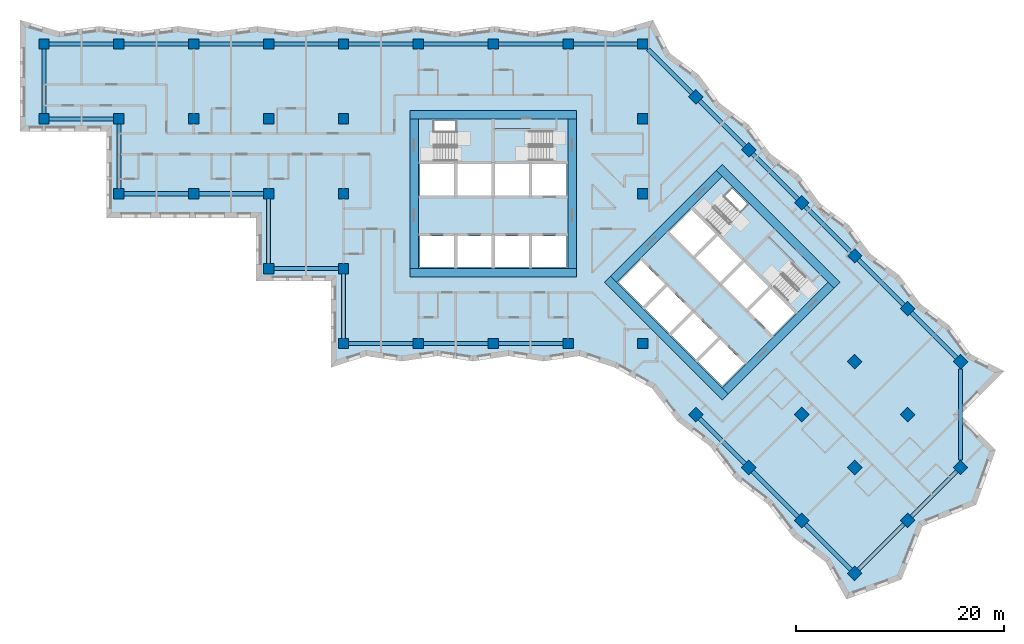
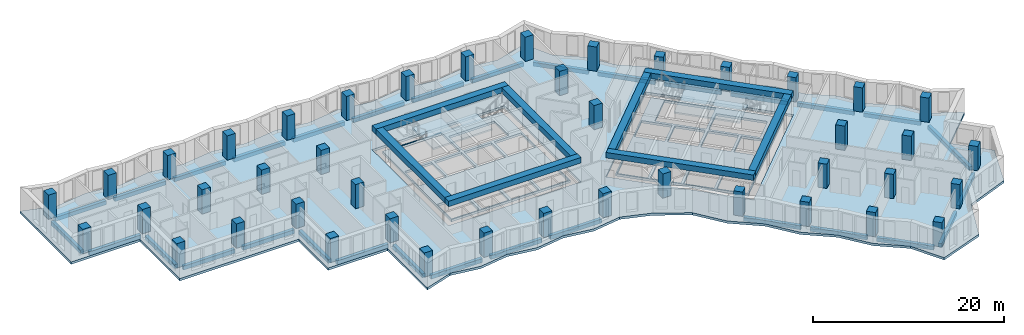
# One storey, part 1 of 13: 43 columns, 39 beams, 7 slabs, 22 openings, 4 elements without a shape of their own.
"""IFC4 building model written with IfcOpenShell, lengths in metres."""

from ifc_helpers import new_model, si_unit, direction, frame, origin, origin_2d, place, context, subcontext, project, spatial, polyline, rectangle, outline, extrude, material, layer, layer_set, material_profile, profile_set, type_object, element, aggregate, save


model = new_model("IFC4")

# Units and contexts
model_context = context("Model", 3, precision=1e-05, world=origin(), true_north=direction((0.0, 1.0)))
body_context = subcontext(model_context, "Body", "Model", "MODEL_VIEW")
ifc_project = project(units=[si_unit("LENGTHUNIT", "METRE"), si_unit("AREAUNIT", "SQUARE_METRE"), si_unit("VOLUMEUNIT", "CUBIC_METRE"), si_unit("PLANEANGLEUNIT", "RADIAN"), si_unit("MASSUNIT", "GRAM", prefix="KILO")], contexts=[model_context])

# Site, building, storey
site_placement = place(None, origin())
site = spatial("IfcSite", under=ifc_project, at=site_placement, CompositionType="ELEMENT")
building_placement = place(site_placement, origin())
building = spatial("IfcBuilding", under=site, at=building_placement, Name="Windrow Commons", CompositionType="ELEMENT")
storey_placement = place(building_placement, frame((0.0, 0.0, 105.0)))
storey = spatial("IfcBuildingStorey", under=building, at=storey_placement, Name="L28", CompositionType="ELEMENT", Elevation=105.0)

# Columns
ifc_material_1 = material(Name="Concrete C60/75", Category="concrete")
ifc_material_profile_1 = material_profile(ifc_material_1, rectangle(XDim=1.0, YDim=1.0, at=origin_2d()))
ifc_profile_set_1 = profile_set([ifc_material_profile_1], Name="Concrete C60/75")
column_type = type_object("IfcColumnType", Name="RC COLUMN 1000x1000 C60/75", PredefinedType="COLUMN", material=ifc_profile_set_1)
for number, where, z_axis, x_axis, name in (
    (1, (21.6, 64.8, 0.0), (0.0, 0.0, 1.0), (1.0, 0.0, 0.0), "C-Z2-04I"),
    (2, (21.6, 72.0, 0.0), (0.0, 0.0, 1.0), (1.0, 0.0, 0.0), "C-Z2-04J"),
    (3, (28.8, 57.6, 0.0), (0.0, 0.0, 1.0), (1.0, 0.0, 0.0), "C-Z2-05H"),
    (4, (28.8, 64.8, 0.0), (0.0, 0.0, 1.0), (1.0, 0.0, 0.0), "C-Z2-05I"),
    (5, (28.8, 72.0, 0.0), (0.0, 0.0, 1.0), (1.0, 0.0, 0.0), "C-Z2-05J"),
    (6, (36.0, 57.6, 0.0), (0.0, 0.0, 1.0), (1.0, 0.0, 0.0), "C-Z2-06H"),
    (7, (36.0, 64.8, 0.0), (0.0, 0.0, 1.0), (1.0, 0.0, 0.0), "C-Z2-06I"),
    (8, (36.0, 72.0, 0.0), (0.0, 0.0, 1.0), (1.0, 0.0, 0.0), "C-Z2-06J"),
    (9, (43.2, 50.4, 0.0), (0.0, 0.0, 1.0), (1.0, 0.0, 0.0), "C-Z2-07G"),
    (10, (43.2, 57.6, 0.0), (0.0, 0.0, 1.0), (1.0, 0.0, 0.0), "C-Z2-07H"),
    (11, (43.2, 64.8, 0.0), (0.0, 0.0, 1.0), (1.0, 0.0, 0.0), "C-Z2-07I"),
    (12, (43.2, 72.0, 0.0), (0.0, 0.0, 1.0), (1.0, 0.0, 0.0), "C-Z2-07J"),
    (13, (50.4, 43.2, 0.0), (0.0, 0.0, 1.0), (1.0, 0.0, 0.0), "C-Z2-08F"),
    (14, (50.4, 50.4, 0.0), (0.0, 0.0, 1.0), (1.0, 0.0, 0.0), "C-Z2-08G"),
    (15, (50.4, 57.6, 0.0), (0.0, 0.0, 1.0), (1.0, 0.0, 0.0), "C-Z2-08H"),
    (16, (50.4, 64.8, 0.0), (0.0, 0.0, 1.0), (1.0, 0.0, 0.0), "C-Z2-08I"),
    (17, (50.4, 72.0, 0.0), (0.0, 0.0, 1.0), (1.0, 0.0, 0.0), "C-Z2-08J"),
    (18, (57.6, 43.2, 0.0), (0.0, 0.0, 1.0), (1.0, 0.0, 0.0), "C-Z2-09F"),
    (19, (57.6, 72.0, 0.0), (0.0, 0.0, 1.0), (1.0, 0.0, 0.0), "C-Z2-09J"),
    (20, (64.8, 43.2, 0.0), (0.0, 0.0, 1.0), (1.0, 0.0, 0.0), "C-Z2-10F"),
    (21, (64.8, 72.0, 0.0), (0.0, 0.0, 1.0), (1.0, 0.0, 0.0), "C-Z2-10J"),
    (22, (72.0, 43.2, 0.0), (0.0, 0.0, 1.0), (1.0, 0.0, 0.0), "C-Z2-11F"),
    (23, (72.0, 72.0, 0.0), (0.0, 0.0, 1.0), (1.0, 0.0, 0.0), "C-Z2-11J"),
    (24, (79.2, 43.2, 0.0), (0.0, 0.0, 1.0), (1.0, 0.0, 0.0), "C-Z2-12F"),
    (25, (79.2, 57.6, 0.0), (0.0, 0.0, 1.0), (1.0, 0.0, 0.0), "C-Z2-12H"),
    (26, (79.2, 64.8, 0.0), (0.0, 0.0, 1.0), (1.0, 0.0, 0.0), "C-Z2-12I"),
    (27, (79.2, 72.0, 0.0), (0.0, 0.0, 1.0), (1.0, 0.0, 0.0), "C-Z2-12J"),
    (28, (84.2912, 66.9088, 0.0), (0.0, 0.0, 1.0), (0.7071067812, -0.7071067812, 0.0), "C-Z2-P2Q"),
    (29, (89.3823, 61.8177, 0.0), (0.0, 0.0, 1.0), (0.7071067812, -0.7071067812, 0.0), "C-Z2-P3Q"),
    (30, (94.4735, 56.7265, 0.0), (0.0, 0.0, 1.0), (0.7071067812, -0.7071067812, 0.0), "C-Z2-P4Q"),
    (31, (99.5647, 51.6353, 0.0), (0.0, 0.0, 1.0), (0.7071067812, -0.7071067812, 0.0), "C-Z2-P5Q"),
    (32, (84.2912, 36.3618, 0.0), (0.0, 0.0, 1.0), (0.7071067812, -0.7071067812, 0.0), "C-Z2-P5T"),
    (33, (104.6558, 46.5442, 0.0), (0.0, 0.0, 1.0), (0.7071067812, -0.7071067812, 0.0), "C-Z2-P6Q"),
    (34, (99.5647, 41.453, 0.0), (0.0, 0.0, 1.0), (0.7071067812, -0.7071067812, 0.0), "C-Z2-P6R"),
    (35, (94.4735, 36.3618, 0.0), (0.0, 0.0, 1.0), (0.7071067812, -0.7071067812, 0.0), "C-Z2-P6S"),
    (36, (89.3823, 31.2706, 0.0), (0.0, 0.0, 1.0), (0.7071067812, -0.7071067812, 0.0), "C-Z2-P6T"),
    (37, (109.747, 41.453, 0.0), (0.0, 0.0, 1.0), (0.7071067812, -0.7071067812, 0.0), "C-Z2-P7Q"),
    (38, (104.6558, 36.3618, 0.0), (0.0, 0.0, 1.0), (0.7071067812, -0.7071067812, 0.0), "C-Z2-P7R"),
    (39, (99.5647, 31.2706, 0.0), (0.0, 0.0, 1.0), (0.7071067812, -0.7071067812, 0.0), "C-Z2-P7S"),
    (40, (94.4735, 26.1795, 0.0), (0.0, 0.0, 1.0), (0.7071067812, -0.7071067812, 0.0), "C-Z2-P7T"),
    (41, (109.747, 31.2706, 0.0), (0.0, 0.0, 1.0), (0.7071067812, -0.7071067812, 0.0), "C-Z2-P8R"),
    (42, (104.6558, 26.1795, 0.0), (0.0, 0.0, 1.0), (0.7071067812, -0.7071067812, 0.0), "C-Z2-P8S"),
    (43, (99.5647, 21.0883, 0.0), (0.0, 0.0, 1.0), (0.7071067812, -0.7071067812, 0.0), "C-Z2-P8T"),
):
    element("IfcColumn", number, at=place(storey_placement, frame(where, z_axis=z_axis, x_axis=x_axis)), inside=storey, type_object=column_type, Name=name, PredefinedType="COLUMN", context=body_context, shape_type="SweptSolid", body=[
        extrude(rectangle(XDim=1.0, YDim=1.0, at=origin_2d()), origin(), (0.0, 0.0, 1.0), 3.1),
    ])

# Beams
ifc_material_2 = material(Name="Concrete C50/60", Category="concrete")
ifc_material_profile_2 = material_profile(ifc_material_2, rectangle(XDim=0.8, YDim=0.7, at=origin_2d()))
ifc_profile_set_2 = profile_set([ifc_material_profile_2], Name="Concrete C50/60")
beam_type_1 = type_object("IfcBeamType", Name="RC COUPLING BEAM 800x700 C50/60", PredefinedType="LINTEL", material=ifc_profile_set_2)
for number, where, z_axis, x_axis, name in (
    (44, (56.8, 50.0, 2.75), (1.0, 0.0, 0.0), (0.0, 1.0, 0.0), "Core A coupling beam outer-S"),
    (45, (56.8, 65.2, 2.75), (1.0, 0.0, 0.0), (0.0, 1.0, 0.0), "Core A coupling beam outer-N"),
):
    element("IfcBeam", number, at=place(storey_placement, frame(where, z_axis=z_axis, x_axis=x_axis)), inside=storey, type_object=beam_type_1, Name=name, PredefinedType="LINTEL", context=body_context, shape_type="SweptSolid", body=[
        extrude(rectangle(XDim=0.8, YDim=0.7, at=origin_2d()), origin(), (0.0, 0.0, 1.0), 16.0),
    ])
for number, where, z_axis, x_axis, name in (
    (46, (57.2, 50.4, 2.75), (0.0, 1.0, 0.0), (-1.0, 0.0, 0.0), "Core A coupling beam outer-W"),
    (47, (72.4, 50.4, 2.75), (0.0, 1.0, 0.0), (-1.0, 0.0, 0.0), "Core A coupling beam outer-E"),
):
    element("IfcBeam", number, at=place(storey_placement, frame(where, z_axis=z_axis, x_axis=x_axis)), inside=storey, type_object=beam_type_1, Name=name, PredefinedType="LINTEL", context=body_context, shape_type="SweptSolid", body=[
        extrude(rectangle(XDim=0.8, YDim=0.7, at=origin_2d()), origin(), (0.0, 0.0, 1.0), 14.4),
    ])
for number, where, z_axis, x_axis, name in (
    (48, (75.8059, 49.3726, 2.75), (0.7071067812, -0.7071067812, 0.0), (0.7071067812, 0.7071067812, 0.0), "Core B coupling beam outer-S"),
    (49, (86.5539, 60.1206, 2.75), (0.7071067812, -0.7071067812, 0.0), (0.7071067812, 0.7071067812, 0.0), "Core B coupling beam outer-N"),
):
    element("IfcBeam", number, at=place(storey_placement, frame(where, z_axis=z_axis, x_axis=x_axis)), inside=storey, type_object=beam_type_1, Name=name, PredefinedType="LINTEL", context=body_context, shape_type="SweptSolid", body=[
        extrude(rectangle(XDim=0.8, YDim=0.7, at=origin_2d()), origin(), (0.0, 0.0, 1.0), 16.0),
    ])
for number, where, z_axis, x_axis, name in (
    (50, (76.3716, 49.3726, 2.75), (0.7071067812, 0.7071067812, 0.0), (-0.7071067812, 0.7071067812, 0.0), "Core B coupling beam outer-W"),
    (51, (87.1196, 38.6246, 2.75), (0.7071067812, 0.7071067812, 0.0), (-0.7071067812, 0.7071067812, 0.0), "Core B coupling beam outer-E"),
):
    element("IfcBeam", number, at=place(storey_placement, frame(where, z_axis=z_axis, x_axis=x_axis)), inside=storey, type_object=beam_type_1, Name=name, PredefinedType="LINTEL", context=body_context, shape_type="SweptSolid", body=[
        extrude(rectangle(XDim=0.8, YDim=0.7, at=origin_2d()), origin(), (0.0, 0.0, 1.0), 14.3999),
    ])
ifc_material_3 = material(Name="Concrete C50/60", Category="concrete")
ifc_material_profile_3 = material_profile(ifc_material_3, rectangle(XDim=0.4, YDim=0.5, at=origin_2d()))
ifc_profile_set_3 = profile_set([ifc_material_profile_3], Name="Concrete C50/60")
beam_type_2 = type_object("IfcBeamType", Name="RC EDGE BEAM 400x500 C50/60", PredefinedType="SPANDREL", material=ifc_profile_set_3)
for number, where, z_axis, x_axis, name in (
    (52, (35.5, 57.6, -0.55), (-1.0, 0.0, 0.0), (0.0, -1.0, 0.0), "Edge beam L28 001"),
    (53, (28.8, 58.1, -0.55), (0.0, 1.0, 0.0), (-1.0, 0.0, 0.0), "Edge beam L28 002"),
    (54, (28.3, 64.8, -0.55), (-1.0, 0.0, 0.0), (0.0, -1.0, 0.0), "Edge beam L28 003"),
    (55, (21.6, 65.3, -0.55), (0.0, 1.0, 0.0), (-1.0, 0.0, 0.0), "Edge beam L28 004"),
    (56, (22.1, 72.0, -0.55), (1.0, 0.0, 0.0), (0.0, 1.0, 0.0), "Edge beam L28 005"),
    (57, (29.3, 72.0, -0.55), (1.0, 0.0, 0.0), (0.0, 1.0, 0.0), "Edge beam L28 006"),
    (58, (36.5, 72.0, -0.55), (1.0, 0.0, 0.0), (0.0, 1.0, 0.0), "Edge beam L28 007"),
    (59, (43.7, 72.0, -0.55), (1.0, 0.0, 0.0), (0.0, 1.0, 0.0), "Edge beam L28 008"),
    (60, (50.9, 72.0, -0.55), (1.0, 0.0, 0.0), (0.0, 1.0, 0.0), "Edge beam L28 009"),
    (61, (58.1, 72.0, -0.55), (1.0, 0.0, 0.0), (0.0, 1.0, 0.0), "Edge beam L28 010"),
    (62, (65.3, 72.0, -0.55), (1.0, 0.0, 0.0), (0.0, 1.0, 0.0), "Edge beam L28 011"),
    (63, (72.5, 72.0, -0.55), (1.0, 0.0, 0.0), (0.0, 1.0, 0.0), "Edge beam L28 012"),
):
    element("IfcBeam", number, at=place(storey_placement, frame(where, z_axis=z_axis, x_axis=x_axis)), inside=storey, type_object=beam_type_2, Name=name, PredefinedType="SPANDREL", context=body_context, shape_type="SweptSolid", body=[
        extrude(rectangle(XDim=0.4, YDim=0.5, at=origin_2d()), origin(), (0.0, 0.0, 1.0), 6.2),
    ])
beam_1_placement = place(storey_placement, frame((79.7, 71.5, -0.55), z_axis=(0.7071067812, -0.7071067812, 0.0), x_axis=(0.7071067812, 0.7071067812, 0.0)))
element("IfcBeam", 64, at=beam_1_placement, inside=storey, type_object=beam_type_2, Name="Edge beam L28 013", PredefinedType="SPANDREL", context=body_context, shape_type="SweptSolid", body=[
    extrude(rectangle(XDim=0.4, YDim=0.5, at=origin_2d()), origin(), (0.0, 0.0, 1.0), 5.9929),
])
beam_2_placement = place(storey_placement, frame((84.6448, 66.5552, -0.55), z_axis=(0.7071067812, -0.7071067812, 0.0), x_axis=(0.7071067812, 0.7071067812, 0.0)))
element("IfcBeam", 65, at=beam_2_placement, inside=storey, type_object=beam_type_2, Name="Edge beam L28 014", PredefinedType="SPANDREL", context=body_context, shape_type="SweptSolid", body=[
    extrude(rectangle(XDim=0.4, YDim=0.5, at=origin_2d()), origin(), (0.0, 0.0, 1.0), 6.1998),
])
for number, where, z_axis, x_axis, name in (
    (66, (89.7359, 61.4641, -0.55), (0.7071067812, -0.7071067812, 0.0), (0.7071067812, 0.7071067812, 0.0), "Edge beam L28 015"),
    (67, (94.8271, 56.3729, -0.55), (0.7071067812, -0.7071067812, 0.0), (0.7071067812, 0.7071067812, 0.0), "Edge beam L28 016"),
):
    element("IfcBeam", number, at=place(storey_placement, frame(where, z_axis=z_axis, x_axis=x_axis)), inside=storey, type_object=beam_type_2, Name=name, PredefinedType="SPANDREL", context=body_context, shape_type="SweptSolid", body=[
        extrude(rectangle(XDim=0.4, YDim=0.5, at=origin_2d()), origin(), (0.0, 0.0, 1.0), 6.1999),
    ])
beam_3_placement = place(storey_placement, frame((99.9183, 51.2817, -0.55), z_axis=(0.7071067812, -0.7071067812, 0.0), x_axis=(0.7071067812, 0.7071067812, 0.0)))
element("IfcBeam", 68, at=beam_3_placement, inside=storey, type_object=beam_type_2, Name="Edge beam L28 017", PredefinedType="SPANDREL", context=body_context, shape_type="SweptSolid", body=[
    extrude(rectangle(XDim=0.4, YDim=0.5, at=origin_2d()), origin(), (0.0, 0.0, 1.0), 6.1998),
])
beam_4_placement = place(storey_placement, frame((105.0094, 46.1906, -0.55), z_axis=(0.7071067812, -0.7071067812, 0.0), x_axis=(0.7071067812, 0.7071067812, 0.0)))
element("IfcBeam", 69, at=beam_4_placement, inside=storey, type_object=beam_type_2, Name="Edge beam L28 018", PredefinedType="SPANDREL", context=body_context, shape_type="SweptSolid", body=[
    extrude(rectangle(XDim=0.4, YDim=0.5, at=origin_2d()), origin(), (0.0, 0.0, 1.0), 6.1999),
])
beam_5_placement = place(storey_placement, frame((109.747, 40.7459, -0.55), z_axis=(0.0, -1.0, 0.0), x_axis=(1.0, 0.0, 0.0)))
element("IfcBeam", 70, at=beam_5_placement, inside=storey, type_object=beam_type_2, Name="Edge beam L28 019", PredefinedType="SPANDREL", context=body_context, shape_type="SweptSolid", body=[
    extrude(rectangle(XDim=0.4, YDim=0.5, at=origin_2d()), origin(), (0.0, 0.0, 1.0), 8.7682),
])
for number, where, z_axis, x_axis, name in (
    (71, (109.3934, 30.917, -0.55), (-0.7071148459, -0.7070987164, 0.0), (0.7070987164, -0.7071148459, 0.0), "Edge beam L28 020"),
    (72, (104.3022, 25.8259, -0.55), (-0.7070987164, -0.7071148459, 0.0), (0.7071148459, -0.7070987164, 0.0), "Edge beam L28 021"),
):
    element("IfcBeam", number, at=place(storey_placement, frame(where, z_axis=z_axis, x_axis=x_axis)), inside=storey, type_object=beam_type_2, Name=name, PredefinedType="SPANDREL", context=body_context, shape_type="SweptSolid", body=[
        extrude(rectangle(XDim=0.4, YDim=0.5, at=origin_2d()), origin(), (0.0, 0.0, 1.0), 6.1998),
    ])
beam_6_placement = place(storey_placement, frame((99.2111, 21.4419, -0.55), z_axis=(-0.7071067812, 0.7071067812, 0.0), x_axis=(-0.7071067812, -0.7071067812, 0.0)))
element("IfcBeam", 73, at=beam_6_placement, inside=storey, type_object=beam_type_2, Name="Edge beam L28 022", PredefinedType="SPANDREL", context=body_context, shape_type="SweptSolid", body=[
    extrude(rectangle(XDim=0.4, YDim=0.5, at=origin_2d()), origin(), (0.0, 0.0, 1.0), 6.1999),
])
for number, where, z_axis, x_axis, name in (
    (74, (94.1199, 26.5331, -0.55), (-0.7071148459, 0.7070987164, 0.0), (-0.7070987164, -0.7071148459, 0.0), "Edge beam L28 023"),
    (75, (89.0287, 31.6242, -0.55), (-0.7070987164, 0.7071148459, 0.0), (-0.7071148459, -0.7070987164, 0.0), "Edge beam L28 024"),
):
    element("IfcBeam", number, at=place(storey_placement, frame(where, z_axis=z_axis, x_axis=x_axis)), inside=storey, type_object=beam_type_2, Name=name, PredefinedType="SPANDREL", context=body_context, shape_type="SweptSolid", body=[
        extrude(rectangle(XDim=0.4, YDim=0.5, at=origin_2d()), origin(), (0.0, 0.0, 1.0), 6.1998),
    ])
for number, where, z_axis, x_axis, name in (
    (76, (71.5, 43.2, -0.55), (-1.0, 0.0, 0.0), (0.0, -1.0, 0.0), "Edge beam L28 025"),
    (77, (64.3, 43.2, -0.55), (-1.0, 0.0, 0.0), (0.0, -1.0, 0.0), "Edge beam L28 026"),
    (78, (57.1, 43.2, -0.55), (-1.0, 0.0, 0.0), (0.0, -1.0, 0.0), "Edge beam L28 027"),
    (79, (50.4, 43.7, -0.55), (0.0, 1.0, 0.0), (-1.0, 0.0, 0.0), "Edge beam L28 028"),
    (80, (49.9, 50.4, -0.55), (-1.0, 0.0, 0.0), (0.0, -1.0, 0.0), "Edge beam L28 029"),
    (81, (43.2, 50.9, -0.55), (0.0, 1.0, 0.0), (-1.0, 0.0, 0.0), "Edge beam L28 030"),
    (82, (42.7, 57.6, -0.55), (-1.0, 0.0, 0.0), (0.0, -1.0, 0.0), "Edge beam L28 031"),
):
    element("IfcBeam", number, at=place(storey_placement, frame(where, z_axis=z_axis, x_axis=x_axis)), inside=storey, type_object=beam_type_2, Name=name, PredefinedType="SPANDREL", context=body_context, shape_type="SweptSolid", body=[
        extrude(rectangle(XDim=0.4, YDim=0.5, at=origin_2d()), origin(), (0.0, 0.0, 1.0), 6.2),
    ])

# Slab, openings
ifc_material_4 = material(Name="Concrete C50/60", Category="concrete")
ifc_layer_1 = layer(ifc_material_4, 0.3)
ifc_layer_set_1 = layer_set([ifc_layer_1], Name="CORE FLOOR SLAB 300 C50/60")
slab_type_1 = type_object("IfcSlabType", Name="CORE FLOOR SLAB 300 C50/60", PredefinedType="FLOOR", material=ifc_layer_set_1)
placement_1 = place(storey_placement, frame((0.0, 0.0, -0.3)))
slab_1 = element("IfcSlab", 83, at=placement_1, inside=storey, type_object=slab_type_1, Name="S-L28-core-A", PredefinedType="FLOOR", context=body_context, shape_type="SweptSolid", body=[
    extrude(outline(polyline([(57.6, 50.4), (72.0, 50.4), (72.0, 64.8), (57.6, 64.8), (57.6, 50.4)]), holes=[polyline([(57.75, 50.55), (61.05, 50.55), (61.05, 53.55), (57.75, 53.55), (57.75, 50.55)]), polyline([(61.35, 50.55), (64.65, 50.55), (64.65, 53.55), (61.35, 53.55), (61.35, 50.55)]), polyline([(64.95, 50.55), (68.25, 50.55), (68.25, 53.55), (64.95, 53.55), (64.95, 50.55)]), polyline([(68.55, 50.55), (71.85, 50.55), (71.85, 53.55), (68.55, 53.55), (68.55, 50.55)]), polyline([(57.75, 57.45), (61.05, 57.45), (61.05, 60.45), (57.75, 60.45), (57.75, 57.45)]), polyline([(61.35, 57.45), (64.65, 57.45), (64.65, 60.45), (61.35, 60.45), (61.35, 57.45)]), polyline([(64.95, 57.45), (68.25, 57.45), (68.25, 60.45), (64.95, 60.45), (64.95, 57.45)]), polyline([(68.55, 57.45), (71.85, 57.45), (71.85, 60.45), (68.55, 60.45), (68.55, 57.45)]), polyline([(59.1, 60.75), (64.65, 60.75), (64.65, 64.65), (59.1, 64.65), (59.1, 60.75)]), polyline([(64.95, 60.75), (70.5, 60.75), (70.5, 63.705), (64.95, 63.705), (64.95, 60.75)])]), origin(), (0.0, 0.0, 1.0), 0.3),
])
opening_1_placement = place(placement_1, origin())
element("IfcOpeningElement", 84, at=opening_1_placement, cuts=slab_1, Name="Slab opening S-L28-core-A 1", PredefinedType="OPENING", context=body_context, shape_type="SweptSolid", body=[
    extrude(outline(polyline([(57.755, 50.555), (57.755, 53.545), (61.045, 53.545), (61.045, 50.555), (57.755, 50.555)])), origin(), (0.0, 0.0, 1.0), 0.3),
])
opening_2_placement = place(placement_1, origin())
element("IfcOpeningElement", 85, at=opening_2_placement, cuts=slab_1, Name="Slab opening S-L28-core-A 2", PredefinedType="OPENING", context=body_context, shape_type="SweptSolid", body=[
    extrude(outline(polyline([(61.355, 50.555), (61.355, 53.545), (64.645, 53.545), (64.645, 50.555), (61.355, 50.555)])), origin(), (0.0, 0.0, 1.0), 0.3),
])
opening_3_placement = place(placement_1, origin())
element("IfcOpeningElement", 86, at=opening_3_placement, cuts=slab_1, Name="Slab opening S-L28-core-A 3", PredefinedType="OPENING", context=body_context, shape_type="SweptSolid", body=[
    extrude(outline(polyline([(64.955, 50.555), (64.955, 53.545), (68.245, 53.545), (68.245, 50.555), (64.955, 50.555)])), origin(), (0.0, 0.0, 1.0), 0.3),
])
opening_4_placement = place(placement_1, origin())
element("IfcOpeningElement", 87, at=opening_4_placement, cuts=slab_1, Name="Slab opening S-L28-core-A 4", PredefinedType="OPENING", context=body_context, shape_type="SweptSolid", body=[
    extrude(outline(polyline([(68.555, 50.555), (68.555, 53.545), (71.845, 53.545), (71.845, 50.555), (68.555, 50.555)])), origin(), (0.0, 0.0, 1.0), 0.3),
])
opening_5_placement = place(placement_1, origin())
element("IfcOpeningElement", 88, at=opening_5_placement, cuts=slab_1, Name="Slab opening S-L28-core-A 5", PredefinedType="OPENING", context=body_context, shape_type="SweptSolid", body=[
    extrude(outline(polyline([(57.755, 57.455), (57.755, 60.445), (61.045, 60.445), (61.045, 57.455), (57.755, 57.455)])), origin(), (0.0, 0.0, 1.0), 0.3),
])
opening_6_placement = place(placement_1, origin())
element("IfcOpeningElement", 89, at=opening_6_placement, cuts=slab_1, Name="Slab opening S-L28-core-A 6", PredefinedType="OPENING", context=body_context, shape_type="SweptSolid", body=[
    extrude(outline(polyline([(61.355, 57.455), (61.355, 60.445), (64.645, 60.445), (64.645, 57.455), (61.355, 57.455)])), origin(), (0.0, 0.0, 1.0), 0.3),
])
opening_7_placement = place(placement_1, origin())
element("IfcOpeningElement", 90, at=opening_7_placement, cuts=slab_1, Name="Slab opening S-L28-core-A 7", PredefinedType="OPENING", context=body_context, shape_type="SweptSolid", body=[
    extrude(outline(polyline([(64.955, 57.455), (64.955, 60.445), (68.245, 60.445), (68.245, 57.455), (64.955, 57.455)])), origin(), (0.0, 0.0, 1.0), 0.3),
])
opening_8_placement = place(placement_1, origin())
element("IfcOpeningElement", 91, at=opening_8_placement, cuts=slab_1, Name="Slab opening S-L28-core-A 8", PredefinedType="OPENING", context=body_context, shape_type="SweptSolid", body=[
    extrude(outline(polyline([(68.555, 57.455), (68.555, 60.445), (71.845, 60.445), (71.845, 57.455), (68.555, 57.455)])), origin(), (0.0, 0.0, 1.0), 0.3),
])
opening_9_placement = place(placement_1, origin())
element("IfcOpeningElement", 92, at=opening_9_placement, cuts=slab_1, Name="Slab opening S-L28-core-A 9", PredefinedType="OPENING", context=body_context, shape_type="SweptSolid", body=[
    extrude(outline(polyline([(59.105, 60.755), (59.105, 64.645), (64.645, 64.645), (64.645, 60.755), (59.105, 60.755)])), origin(), (0.0, 0.0, 1.0), 0.3),
])
opening_10_placement = place(placement_1, origin())
element("IfcOpeningElement", 93, at=opening_10_placement, cuts=slab_1, Name="Slab opening S-L28-core-A 10", PredefinedType="OPENING", context=body_context, shape_type="SweptSolid", body=[
    extrude(outline(polyline([(64.955, 60.755), (64.955, 63.7), (70.495, 63.7), (70.495, 60.755), (64.955, 60.755)])), origin(), (0.0, 0.0, 1.0), 0.3),
])

slab_2 = element("IfcSlab", 94, at=placement_1, inside=storey, type_object=slab_type_1, Name="S-L28-core-B", PredefinedType="FLOOR", context=body_context, shape_type="SweptSolid", body=[
    extrude(outline(polyline([(76.6544, 49.0897), (86.8368, 38.9074), (97.0191, 49.0897), (86.8368, 59.2721), (76.6544, 49.0897)]), holes=[polyline([(76.8665, 49.0897), (79.2, 46.7563), (81.3213, 48.8776), (78.9879, 51.2111), (76.8665, 49.0897)]), polyline([(79.4121, 46.5442), (81.7456, 44.2107), (83.8669, 46.332), (81.5335, 48.6655), (79.4121, 46.5442)]), polyline([(81.9577, 43.9986), (84.2912, 41.6651), (86.4125, 43.7864), (84.079, 46.1199), (81.9577, 43.9986)]), polyline([(84.5033, 41.453), (86.8368, 39.1195), (88.9581, 41.2409), (86.6246, 43.5743), (84.5033, 41.453)]), polyline([(81.7456, 53.9688), (84.079, 51.6353), (86.2004, 53.7566), (83.8669, 56.0901), (81.7456, 53.9688)]), polyline([(84.2912, 51.4232), (86.6246, 49.0897), (88.7459, 51.2111), (86.4125, 53.5445), (84.2912, 51.4232)]), polyline([(86.8368, 48.8776), (89.1702, 46.5442), (91.2915, 48.6655), (88.9581, 50.9989), (86.8368, 48.8776)]), polyline([(89.3823, 46.332), (91.7158, 43.9986), (93.8371, 46.1199), (91.5037, 48.4533), (89.3823, 46.332)]), polyline([(85.0336, 55.3476), (88.9581, 51.4232), (91.7158, 54.1809), (87.7913, 58.1054), (85.0336, 55.3476)]), polyline([(89.1702, 51.2111), (93.0946, 47.2866), (95.1841, 49.3761), (91.2597, 53.3006), (89.1702, 51.2111)])]), origin(), (0.0, 0.0, 1.0), 0.3),
])
opening_11_placement = place(placement_1, origin())
element("IfcOpeningElement", 95, at=opening_11_placement, cuts=slab_2, Name="Slab opening S-L28-core-B 1", PredefinedType="OPENING", context=body_context, shape_type="SweptSolid", body=[
    extrude(outline(polyline([(76.8736, 49.0897), (78.9879, 51.204), (81.3142, 48.8776), (79.2, 46.7634), (76.8736, 49.0897)])), origin(), (0.0, 0.0, 1.0), 0.3),
])
opening_12_placement = place(placement_1, origin())
element("IfcOpeningElement", 96, at=opening_12_placement, cuts=slab_2, Name="Slab opening S-L28-core-B 2", PredefinedType="OPENING", context=body_context, shape_type="SweptSolid", body=[
    extrude(outline(polyline([(79.4192, 46.5442), (81.5335, 48.6584), (83.8598, 46.332), (81.7456, 44.2178), (79.4192, 46.5442)])), origin(), (0.0, 0.0, 1.0), 0.3),
])
opening_13_placement = place(placement_1, origin())
element("IfcOpeningElement", 97, at=opening_13_placement, cuts=slab_2, Name="Slab opening S-L28-core-B 3", PredefinedType="OPENING", context=body_context, shape_type="SweptSolid", body=[
    extrude(outline(polyline([(81.9648, 43.9986), (84.079, 46.1128), (86.4054, 43.7864), (84.2912, 41.6722), (81.9648, 43.9986)])), origin(), (0.0, 0.0, 1.0), 0.3),
])
opening_14_placement = place(placement_1, origin())
element("IfcOpeningElement", 98, at=opening_14_placement, cuts=slab_2, Name="Slab opening S-L28-core-B 4", PredefinedType="OPENING", context=body_context, shape_type="SweptSolid", body=[
    extrude(outline(polyline([(84.5104, 41.453), (86.6246, 43.5672), (88.951, 41.2409), (86.8368, 39.1266), (84.5104, 41.453)])), origin(), (0.0, 0.0, 1.0), 0.3),
])
opening_15_placement = place(placement_1, origin())
element("IfcOpeningElement", 99, at=opening_15_placement, cuts=slab_2, Name="Slab opening S-L28-core-B 5", PredefinedType="OPENING", context=body_context, shape_type="SweptSolid", body=[
    extrude(outline(polyline([(81.7527, 53.9688), (83.8669, 56.083), (86.1933, 53.7566), (84.079, 51.6424), (81.7527, 53.9688)])), origin(), (0.0, 0.0, 1.0), 0.3),
])
opening_16_placement = place(placement_1, origin())
element("IfcOpeningElement", 100, at=opening_16_placement, cuts=slab_2, Name="Slab opening S-L28-core-B 6", PredefinedType="OPENING", context=body_context, shape_type="SweptSolid", body=[
    extrude(outline(polyline([(84.2983, 51.4232), (86.4125, 53.5374), (88.7388, 51.2111), (86.6246, 49.0968), (84.2983, 51.4232)])), origin(), (0.0, 0.0, 1.0), 0.3),
])
opening_17_placement = place(placement_1, origin())
element("IfcOpeningElement", 101, at=opening_17_placement, cuts=slab_2, Name="Slab opening S-L28-core-B 7", PredefinedType="OPENING", context=body_context, shape_type="SweptSolid", body=[
    extrude(outline(polyline([(86.8439, 48.8776), (88.9581, 50.9918), (91.2844, 48.6655), (89.1702, 46.5513), (86.8439, 48.8776)])), origin(), (0.0, 0.0, 1.0), 0.3),
])
opening_18_placement = place(placement_1, origin())
element("IfcOpeningElement", 102, at=opening_18_placement, cuts=slab_2, Name="Slab opening S-L28-core-B 8", PredefinedType="OPENING", context=body_context, shape_type="SweptSolid", body=[
    extrude(outline(polyline([(89.3894, 46.332), (91.5037, 48.4462), (93.83, 46.1199), (91.7158, 44.0057), (89.3894, 46.332)])), origin(), (0.0, 0.0, 1.0), 0.3),
])
opening_19_placement = place(placement_1, origin())
element("IfcOpeningElement", 103, at=opening_19_placement, cuts=slab_2, Name="Slab opening S-L28-core-B 9", PredefinedType="OPENING", context=body_context, shape_type="SweptSolid", body=[
    extrude(outline(polyline([(85.0407, 55.3476), (87.7913, 58.0983), (91.7087, 54.1809), (88.9581, 51.4303), (85.0407, 55.3476)])), origin(), (0.0, 0.0, 1.0), 0.3),
])
opening_20_placement = place(placement_1, origin())
element("IfcOpeningElement", 104, at=opening_20_placement, cuts=slab_2, Name="Slab opening S-L28-core-B 10", PredefinedType="OPENING", context=body_context, shape_type="SweptSolid", body=[
    extrude(outline(polyline([(89.1773, 51.2111), (91.2597, 53.2935), (95.177, 49.3761), (93.0946, 47.2937), (89.1773, 51.2111)])), origin(), (0.0, 0.0, 1.0), 0.3),
])

# Stair, slab
ifc_material_5 = material(Name="Concrete C40/50", Category="concrete")
stair_type = type_object("IfcStairType", Name="Core stair", PredefinedType="HALF_TURN_STAIR", material=ifc_material_5)
placement_2 = place(storey_placement, origin())
stair_1 = element("IfcStair", 105, at=placement_2, inside=storey, type_object=stair_type, Name="L28 Exit stair A1 core A", PredefinedType="HALF_TURN_STAIR")
ifc_material_6 = material(Name="Concrete C40/50", Category="concrete")
ifc_layer_2 = layer(ifc_material_6, 0.2)
ifc_layer_set_2 = layer_set([ifc_layer_2], Name="Core stair landing")
slab_type_2 = type_object("IfcSlabType", Name="Core stair landing", PredefinedType="LANDING", material=ifc_layer_set_2)
placement_3 = place(storey_placement, frame((0.0, 0.0, 1.5)))
slab_3 = element("IfcSlab", 106, at=placement_3, type_object=slab_type_2, Name="ST-A1 landing 1", PredefinedType="LANDING", context=body_context, shape_type="SweptSolid", body=[
    extrude(outline(polyline([(61.22, 60.5), (64.8, 60.5), (64.8, 64.9), (61.22, 64.9), (61.22, 60.5)])), origin(), (0.0, 0.0, 1.0), 0.2),
])
aggregate(stair_1, [slab_3])

stair_2 = element("IfcStair", 107, at=placement_2, inside=storey, type_object=stair_type, Name="L28 Exit stair A2 core A", PredefinedType="HALF_TURN_STAIR")
slab_4 = element("IfcSlab", 108, at=placement_3, type_object=slab_type_2, Name="ST-A2 landing 1", PredefinedType="LANDING", context=body_context, shape_type="SweptSolid", body=[
    extrude(outline(polyline([(64.8, 60.5), (68.38, 60.5), (68.38, 63.855), (64.8, 63.855), (64.8, 60.5)])), origin(), (0.0, 0.0, 1.0), 0.2),
])
aggregate(stair_2, [slab_4])

stair_3 = element("IfcStair", 109, at=placement_2, inside=storey, type_object=stair_type, Name="L28 Exit stair B1 core B", PredefinedType="HALF_TURN_STAIR")
slab_5 = element("IfcSlab", 110, at=placement_3, type_object=slab_type_2, Name="ST-B1 landing 1", PredefinedType="LANDING", context=body_context, shape_type="SweptSolid", body=[
    extrude(outline(polyline([(86.3559, 53.6718), (88.8874, 51.1403), (91.9986, 54.2516), (89.4672, 56.7831), (86.3559, 53.6718)])), origin(), (0.0, 0.0, 1.0), 0.2),
])
aggregate(stair_3, [slab_5])

stair_4 = element("IfcStair", 111, at=placement_2, inside=storey, type_object=stair_type, Name="L28 Exit stair B2 core B", PredefinedType="HALF_TURN_STAIR")
slab_6 = element("IfcSlab", 112, at=placement_3, type_object=slab_type_2, Name="ST-B2 landing 1", PredefinedType="LANDING", context=body_context, shape_type="SweptSolid", body=[
    extrude(outline(polyline([(88.8874, 51.1403), (91.4188, 48.6089), (93.7911, 50.9812), (91.2597, 53.5127), (88.8874, 51.1403)])), origin(), (0.0, 0.0, 1.0), 0.2),
])
aggregate(stair_4, [slab_6])

# Slab, openings
ifc_material_7 = material(Name="Concrete C50/60", Category="concrete")
ifc_layer_3 = layer(ifc_material_7, 0.3)
ifc_layer_set_3 = layer_set([ifc_layer_3], Name="FLOOR SLAB 300 C50/60")
slab_type_3 = type_object("IfcSlabType", Name="FLOOR SLAB 300 C50/60", PredefinedType="FLOOR", material=ifc_layer_set_3)
slab_7 = element("IfcSlab", 113, at=placement_1, inside=storey, type_object=slab_type_3, Name="S-L28-floor", PredefinedType="FLOOR", context=body_context, shape_type="SweptSolid", body=[
    extrude(outline(polyline([(96.7793, 22.1767), (98.7784, 18.605), (104.0661, 20.4986), (106.1012, 25.6449), (111.2475, 27.68), (113.1411, 32.9677), (109.747, 36.3618), (113.9274, 40.5422), (110.729, 42.168), (108.6789, 44.9422), (105.9047, 46.9923), (103.8547, 49.7665), (101.0805, 51.8165), (99.0304, 54.5907), (96.2563, 56.6408), (94.2062, 59.415), (91.432, 61.4651), (89.3819, 64.2392), (86.6078, 66.2893), (84.5577, 69.0635), (81.7835, 71.1136), (80.1577, 74.312), (76.3533, 73.2), (72.549, 73.712), (68.7446, 73.2), (64.9403, 73.712), (61.1359, 73.2), (57.3316, 73.712), (53.5272, 73.2), (49.7229, 73.712), (45.9185, 73.2), (42.1141, 73.712), (38.3098, 73.2), (34.5054, 73.712), (30.7011, 73.2), (26.8967, 73.712), (23.0924, 73.2), (19.288, 74.312), (19.288, 63.6), (27.6, 63.6), (27.6, 55.288), (42.0, 55.288), (42.0, 49.2), (49.2, 49.2), (49.2, 40.888), (52.6119, 42.0), (56.0238, 41.488), (59.4357, 42.0), (62.8476, 41.488), (66.2596, 42.0), (69.6715, 41.488), (73.0834, 42.0), (76.4953, 40.888), (80.067, 38.8889), (82.4903, 35.7415), (85.6378, 33.3182), (88.0611, 30.1708), (91.2085, 27.7474), (93.6319, 24.6), (96.7793, 22.1767)]), holes=[polyline([(75.523, 49.0897), (86.8368, 60.4034), (98.1505, 49.0897), (86.8368, 37.776), (75.523, 49.0897)]), polyline([(56.8, 49.6), (56.8, 65.6), (72.8, 65.6), (72.8, 49.6), (56.8, 49.6)])]), origin(), (0.0, 0.0, 1.0), 0.3),
])
opening_21_placement = place(placement_1, origin())
element("IfcOpeningElement", 114, at=opening_21_placement, cuts=slab_7, Name="Slab opening S-L28-floor 1", PredefinedType="OPENING", context=body_context, shape_type="SweptSolid", body=[
    extrude(outline(polyline([(75.5301, 49.0897), (86.8368, 60.3963), (98.1434, 49.0897), (86.8368, 37.7831), (75.5301, 49.0897)])), origin(), (0.0, 0.0, 1.0), 0.3),
])
opening_22_placement = place(placement_1, origin())
element("IfcOpeningElement", 115, at=opening_22_placement, cuts=slab_7, Name="Slab opening S-L28-floor 2", PredefinedType="OPENING", context=body_context, shape_type="SweptSolid", body=[
    extrude(outline(polyline([(56.805, 49.605), (56.805, 65.595), (72.795, 65.595), (72.795, 49.605), (56.805, 49.605)])), origin(), (0.0, 0.0, 1.0), 0.3),
])

save(model, "model.ifc")
